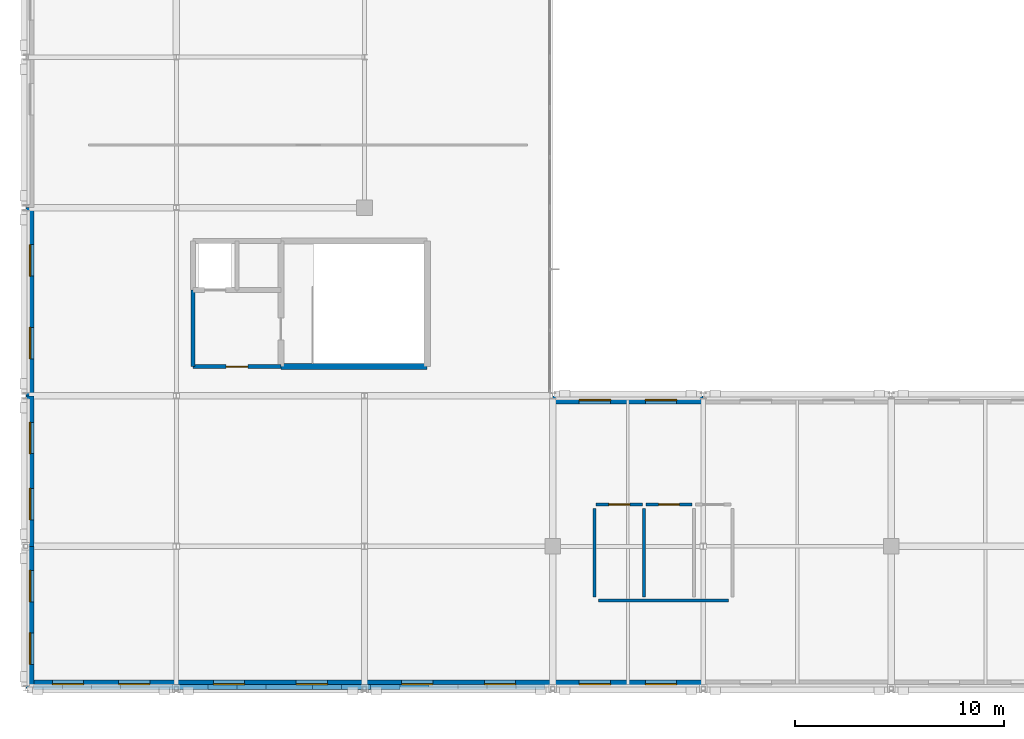
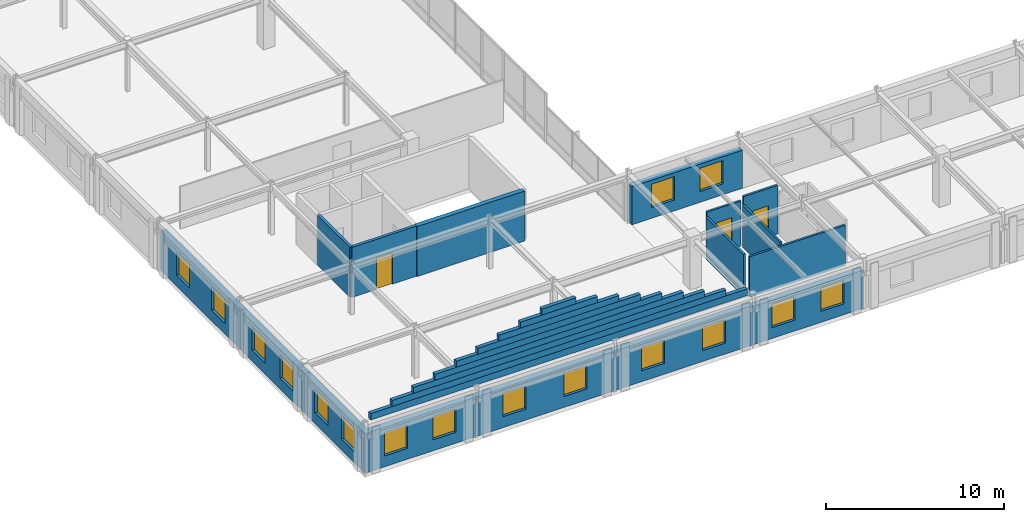
# One storey, part 46 of 74: 25 walls, 16 windows, 3 doors, 19 openings.
"""IFC4 building model written with IfcOpenShell, lengths in metres."""

from ifc_helpers import new_model, si_unit, direction, frame, frame_2d, origin, place, context, subcontext, project, spatial, rectangle, extrude, material, layer, layer_set, type_object, element, fill, save


model = new_model("IFC4")

# Units and contexts
model_context = context("Model", 3, precision=1e-05, world=origin(), true_north=direction((0.0, 1.0)))
body_context = subcontext(model_context, "Body", "Model", "MODEL_VIEW")
ifc_project = project(units=[si_unit("LENGTHUNIT", "METRE"), si_unit("AREAUNIT", "SQUARE_METRE"), si_unit("VOLUMEUNIT", "CUBIC_METRE"), si_unit("PLANEANGLEUNIT", "RADIAN"), si_unit("MASSUNIT", "GRAM", prefix="KILO")], contexts=[model_context])

# Site, building, storey
site_placement = place(None, origin())
site = spatial("IfcSite", under=ifc_project, at=site_placement, CompositionType="ELEMENT")
building_placement = place(site_placement, origin())
building = spatial("IfcBuilding", under=site, at=building_placement, Name="Clarverna Civic Hall", CompositionType="ELEMENT")
storey_placement = place(building_placement, frame((0.0, 0.0, 13.199951171875)))
storey = spatial("IfcBuildingStorey", under=building, at=storey_placement, Name="L03", CompositionType="ELEMENT", Elevation=13.199951171875)

# Wall, openings, windows
ifc_material_1 = material(Name="Montjuic Limestone Ashlar Cladding", Category="masonry")
ifc_layer_1 = layer(ifc_material_1, 0.39990234375)
ifc_layer_set_1 = layer_set([ifc_layer_1], Name="Montjuic Limestone Ashlar Cladding")
wall_type_1 = type_object("IfcWallType", Name="EW-02", PredefinedType="SOLIDWALL", material=ifc_layer_set_1)
wall_1_placement = place(storey_placement, frame((32.39990234375, 0.199951171875, 0.0), z_axis=(0.0, 0.0, 1.0), x_axis=(-1.0, 0.0, 0.0)))
wall_1 = element("IfcWall", 1, at=wall_1_placement, inside=storey, type_object=wall_type_1, Name="EW-02-196", PredefinedType="SOLIDWALL", context=body_context, shape_type="SweptSolid", body=[
    extrude(rectangle(XDim=7.199951171875, YDim=0.39990234375, at=frame_2d((3.60009765625, 0.0))), origin(), (0.0, 0.0, 1.0), 2.6201171875),
])
opening_1_placement = place(wall_1_placement, frame((1.26611328125, 0.0, 0.75)))
opening_1 = element("IfcOpeningElement", 2, at=opening_1_placement, cuts=wall_1, Name="Opening WN-14", PredefinedType="OPENING", context=body_context, shape_type="SweptSolid", body=[
    extrude(rectangle(XDim=1.5, YDim=1.60009765625, at=frame_2d((0.75, 0.800048828125))), frame((0.0, 0.2099609375, 0.0), z_axis=(0.0, -1.0, 0.0), x_axis=(1.0, 0.0, 0.0)), (0.0, 0.0, 1.0), 0.419921875),
])
opening_2_placement = place(wall_1_placement, frame((4.43408203125, 0.0, 0.75)))
opening_2 = element("IfcOpeningElement", 3, at=opening_2_placement, cuts=wall_1, Name="Opening WN-14", PredefinedType="OPENING", context=body_context, shape_type="SweptSolid", body=[
    extrude(rectangle(XDim=1.5, YDim=1.60009765625, at=frame_2d((0.75, 0.800048828125))), frame((0.0, 0.2099609375, 0.0), z_axis=(0.0, -1.0, 0.0), x_axis=(1.0, 0.0, 0.0)), (0.0, 0.0, 1.0), 0.419921875),
])
ifc_material_2 = material(Name="Solar-Control Argon Low-E Double Glazing", Category="glass")
window_type = type_object("IfcWindowType", Name="WN-14", PartitioningType="DOUBLE_PANEL_HORIZONTAL", PredefinedType="WINDOW", material=ifc_material_2)
window_1_placement = place(opening_1_placement, origin())
window_1 = element("IfcWindow", 4, at=window_1_placement, inside=storey, type_object=window_type, Name="WN-14-189", OverallHeight=1.60009765625, OverallWidth=1.5, PartitioningType="DOUBLE_PANEL_HORIZONTAL", PredefinedType="WINDOW", context=body_context, shape_type="SweptSolid", body=[
    extrude(rectangle(XDim=1.5, YDim=1.60009765625, at=frame_2d((0.75, 0.800048828125))), frame((0.0, 0.030029296875, 0.0), z_axis=(0.0, -1.0, 0.0), x_axis=(1.0, 0.0, 0.0)), (0.0, 0.0, 1.0), 0.06005859375),
])
fill(opening_1, window_1)
window_2_placement = place(opening_2_placement, origin())
window_2 = element("IfcWindow", 5, at=window_2_placement, inside=storey, type_object=window_type, Name="WN-14-190", OverallHeight=1.60009765625, OverallWidth=1.5, PartitioningType="DOUBLE_PANEL_HORIZONTAL", PredefinedType="WINDOW", context=body_context, shape_type="SweptSolid", body=[
    extrude(rectangle(XDim=1.5, YDim=1.60009765625, at=frame_2d((0.75, 0.800048828125))), frame((0.0, 0.030029296875, 0.0), z_axis=(0.0, -1.0, 0.0), x_axis=(1.0, 0.0, 0.0)), (0.0, 0.0, 1.0), 0.06005859375),
])
fill(opening_2, window_2)

wall_2_placement = place(storey_placement, frame((25.199951171875, 0.199951171875, 0.0), z_axis=(0.0, 0.0, 1.0), x_axis=(-1.0, 0.0, 0.0)))
wall_2 = element("IfcWall", 6, at=wall_2_placement, inside=storey, type_object=wall_type_1, Name="EW-02-197", PredefinedType="SOLIDWALL", context=body_context, shape_type="SweptSolid", body=[
    extrude(rectangle(XDim=9.0, YDim=0.39990234375, at=frame_2d((4.5, 0.0))), origin(), (0.0, 0.0, 1.0), 2.719970703125),
])
opening_3_placement = place(wall_2_placement, frame((1.77001953125, 0.0, 0.75)))
opening_3 = element("IfcOpeningElement", 7, at=opening_3_placement, cuts=wall_2, Name="Opening WN-14", PredefinedType="OPENING", context=body_context, shape_type="SweptSolid", body=[
    extrude(rectangle(XDim=1.5, YDim=1.60009765625, at=frame_2d((0.75, 0.800048828125))), frame((0.0, 0.2099609375, 0.0), z_axis=(0.0, -1.0, 0.0), x_axis=(1.0, 0.0, 0.0)), (0.0, 0.0, 1.0), 0.419921875),
])
opening_4_placement = place(wall_2_placement, frame((5.72998046875, 0.0, 0.75)))
opening_4 = element("IfcOpeningElement", 8, at=opening_4_placement, cuts=wall_2, Name="Opening WN-14", PredefinedType="OPENING", context=body_context, shape_type="SweptSolid", body=[
    extrude(rectangle(XDim=1.5, YDim=1.60009765625, at=frame_2d((0.75, 0.800048828125))), frame((0.0, 0.2099609375, 0.0), z_axis=(0.0, -1.0, 0.0), x_axis=(1.0, 0.0, 0.0)), (0.0, 0.0, 1.0), 0.419921875),
])
window_3_placement = place(opening_3_placement, origin())
window_3 = element("IfcWindow", 9, at=window_3_placement, inside=storey, type_object=window_type, Name="WN-14-191", OverallHeight=1.60009765625, OverallWidth=1.5, PartitioningType="DOUBLE_PANEL_HORIZONTAL", PredefinedType="WINDOW", context=body_context, shape_type="SweptSolid", body=[
    extrude(rectangle(XDim=1.5, YDim=1.60009765625, at=frame_2d((0.75, 0.800048828125))), frame((0.0, 0.030029296875, 0.0), z_axis=(0.0, -1.0, 0.0), x_axis=(1.0, 0.0, 0.0)), (0.0, 0.0, 1.0), 0.06005859375),
])
fill(opening_3, window_3)
window_4_placement = place(opening_4_placement, origin())
window_4 = element("IfcWindow", 10, at=window_4_placement, inside=storey, type_object=window_type, Name="WN-14-192", OverallHeight=1.60009765625, OverallWidth=1.5, PartitioningType="DOUBLE_PANEL_HORIZONTAL", PredefinedType="WINDOW", context=body_context, shape_type="SweptSolid", body=[
    extrude(rectangle(XDim=1.5, YDim=1.60009765625, at=frame_2d((0.75, 0.800048828125))), frame((0.0, 0.030029296875, 0.0), z_axis=(0.0, -1.0, 0.0), x_axis=(1.0, 0.0, 0.0)), (0.0, 0.0, 1.0), 0.06005859375),
])
fill(opening_4, window_4)

wall_3_placement = place(storey_placement, frame((16.199951171875, 0.199951171875, 0.0), z_axis=(0.0, 0.0, 1.0), x_axis=(-1.0, 0.0, 0.0)))
wall_3 = element("IfcWall", 11, at=wall_3_placement, inside=storey, type_object=wall_type_1, Name="EW-02-198", PredefinedType="SOLIDWALL", context=body_context, shape_type="SweptSolid", body=[
    extrude(rectangle(XDim=9.0, YDim=0.39990234375, at=frame_2d((4.5, 0.0))), origin(), (0.0, 0.0, 1.0), 2.719970703125),
])
opening_5_placement = place(wall_3_placement, frame((1.77001953125, 0.0, 0.75)))
opening_5 = element("IfcOpeningElement", 12, at=opening_5_placement, cuts=wall_3, Name="Opening WN-14", PredefinedType="OPENING", context=body_context, shape_type="SweptSolid", body=[
    extrude(rectangle(XDim=1.5, YDim=1.60009765625, at=frame_2d((0.75, 0.800048828125))), frame((0.0, 0.2099609375, 0.0), z_axis=(0.0, -1.0, 0.0), x_axis=(1.0, 0.0, 0.0)), (0.0, 0.0, 1.0), 0.419921875),
])
opening_6_placement = place(wall_3_placement, frame((5.72998046875, 0.0, 0.75)))
opening_6 = element("IfcOpeningElement", 13, at=opening_6_placement, cuts=wall_3, Name="Opening WN-14", PredefinedType="OPENING", context=body_context, shape_type="SweptSolid", body=[
    extrude(rectangle(XDim=1.5, YDim=1.60009765625, at=frame_2d((0.75, 0.800048828125))), frame((0.0, 0.2099609375, 0.0), z_axis=(0.0, -1.0, 0.0), x_axis=(1.0, 0.0, 0.0)), (0.0, 0.0, 1.0), 0.419921875),
])
window_5_placement = place(opening_5_placement, origin())
window_5 = element("IfcWindow", 14, at=window_5_placement, inside=storey, type_object=window_type, Name="WN-14-193", OverallHeight=1.60009765625, OverallWidth=1.5, PartitioningType="DOUBLE_PANEL_HORIZONTAL", PredefinedType="WINDOW", context=body_context, shape_type="SweptSolid", body=[
    extrude(rectangle(XDim=1.5, YDim=1.60009765625, at=frame_2d((0.75, 0.800048828125))), frame((0.0, 0.030029296875, 0.0), z_axis=(0.0, -1.0, 0.0), x_axis=(1.0, 0.0, 0.0)), (0.0, 0.0, 1.0), 0.06005859375),
])
fill(opening_5, window_5)
window_6_placement = place(opening_6_placement, origin())
window_6 = element("IfcWindow", 15, at=window_6_placement, inside=storey, type_object=window_type, Name="WN-14-194", OverallHeight=1.60009765625, OverallWidth=1.5, PartitioningType="DOUBLE_PANEL_HORIZONTAL", PredefinedType="WINDOW", context=body_context, shape_type="SweptSolid", body=[
    extrude(rectangle(XDim=1.5, YDim=1.60009765625, at=frame_2d((0.75, 0.800048828125))), frame((0.0, 0.030029296875, 0.0), z_axis=(0.0, -1.0, 0.0), x_axis=(1.0, 0.0, 0.0)), (0.0, 0.0, 1.0), 0.06005859375),
])
fill(opening_6, window_6)

wall_4_placement = place(storey_placement, frame((7.199951171875, 0.199951171875, 0.0), z_axis=(0.0, 0.0, 1.0), x_axis=(-1.0, 0.0, 0.0)))
wall_4 = element("IfcWall", 16, at=wall_4_placement, inside=storey, type_object=wall_type_1, Name="EW-02-199", PredefinedType="SOLIDWALL", context=body_context, shape_type="SweptSolid", body=[
    extrude(rectangle(XDim=7.199951171875, YDim=0.39990234375, at=frame_2d((3.60009765625, 0.0))), origin(), (0.0, 0.0, 1.0), 2.719970703125),
])
opening_7_placement = place(wall_4_placement, frame((1.26611328125, 0.0, 0.75)))
opening_7 = element("IfcOpeningElement", 17, at=opening_7_placement, cuts=wall_4, Name="Opening WN-14", PredefinedType="OPENING", context=body_context, shape_type="SweptSolid", body=[
    extrude(rectangle(XDim=1.5, YDim=1.60009765625, at=frame_2d((0.75, 0.800048828125))), frame((0.0, 0.2099609375, 0.0), z_axis=(0.0, -1.0, 0.0), x_axis=(1.0, 0.0, 0.0)), (0.0, 0.0, 1.0), 0.419921875),
])
opening_8_placement = place(wall_4_placement, frame((4.43408203125, 0.0, 0.75)))
opening_8 = element("IfcOpeningElement", 18, at=opening_8_placement, cuts=wall_4, Name="Opening WN-14", PredefinedType="OPENING", context=body_context, shape_type="SweptSolid", body=[
    extrude(rectangle(XDim=1.5, YDim=1.60009765625, at=frame_2d((0.75, 0.800048828125))), frame((0.0, 0.2099609375, 0.0), z_axis=(0.0, -1.0, 0.0), x_axis=(1.0, 0.0, 0.0)), (0.0, 0.0, 1.0), 0.419921875),
])
window_7_placement = place(opening_7_placement, origin())
window_7 = element("IfcWindow", 19, at=window_7_placement, inside=storey, type_object=window_type, Name="WN-14-195", OverallHeight=1.60009765625, OverallWidth=1.5, PartitioningType="DOUBLE_PANEL_HORIZONTAL", PredefinedType="WINDOW", context=body_context, shape_type="SweptSolid", body=[
    extrude(rectangle(XDim=1.5, YDim=1.60009765625, at=frame_2d((0.75, 0.800048828125))), frame((0.0, 0.030029296875, 0.0), z_axis=(0.0, -1.0, 0.0), x_axis=(1.0, 0.0, 0.0)), (0.0, 0.0, 1.0), 0.06005859375),
])
fill(opening_7, window_7)
window_8_placement = place(opening_8_placement, origin())
window_8 = element("IfcWindow", 20, at=window_8_placement, inside=storey, type_object=window_type, Name="WN-14-196", OverallHeight=1.60009765625, OverallWidth=1.5, PartitioningType="DOUBLE_PANEL_HORIZONTAL", PredefinedType="WINDOW", context=body_context, shape_type="SweptSolid", body=[
    extrude(rectangle(XDim=1.5, YDim=1.60009765625, at=frame_2d((0.75, 0.800048828125))), frame((0.0, 0.030029296875, 0.0), z_axis=(0.0, -1.0, 0.0), x_axis=(1.0, 0.0, 0.0)), (0.0, 0.0, 1.0), 0.06005859375),
])
fill(opening_8, window_8)

wall_5_placement = place(storey_placement, frame((0.199951171875, 0.0, 0.0), z_axis=(0.0, 0.0, 1.0), x_axis=(0.0, 1.0, 0.0)))
wall_5 = element("IfcWall", 21, at=wall_5_placement, inside=storey, type_object=wall_type_1, Name="EW-02-200", PredefinedType="SOLIDWALL", context=body_context, shape_type="SweptSolid", body=[
    extrude(rectangle(XDim=6.800048828125, YDim=0.39990234375, at=frame_2d((3.39990234375, 0.0))), origin(), (0.0, 0.0, 1.0), 2.719970703125),
])
opening_9_placement = place(wall_5_placement, frame((1.154052734375, 0.0, 0.75)))
opening_9 = element("IfcOpeningElement", 22, at=opening_9_placement, cuts=wall_5, Name="Opening WN-14", PredefinedType="OPENING", context=body_context, shape_type="SweptSolid", body=[
    extrude(rectangle(XDim=1.5, YDim=1.60009765625, at=frame_2d((0.75, 0.800048828125))), frame((0.0, 0.2099609375, 0.0), z_axis=(0.0, -1.0, 0.0), x_axis=(1.0, 0.0, 0.0)), (0.0, 0.0, 1.0), 0.419921875),
])
opening_10_placement = place(wall_5_placement, frame((4.14599609375, 0.0, 0.75)))
opening_10 = element("IfcOpeningElement", 23, at=opening_10_placement, cuts=wall_5, Name="Opening WN-14", PredefinedType="OPENING", context=body_context, shape_type="SweptSolid", body=[
    extrude(rectangle(XDim=1.5, YDim=1.60009765625, at=frame_2d((0.75, 0.800048828125))), frame((0.0, 0.2099609375, 0.0), z_axis=(0.0, -1.0, 0.0), x_axis=(1.0, 0.0, 0.0)), (0.0, 0.0, 1.0), 0.419921875),
])
window_9_placement = place(opening_9_placement, origin())
window_9 = element("IfcWindow", 24, at=window_9_placement, inside=storey, type_object=window_type, Name="WN-14-197", OverallHeight=1.60009765625, OverallWidth=1.5, PartitioningType="DOUBLE_PANEL_HORIZONTAL", PredefinedType="WINDOW", context=body_context, shape_type="SweptSolid", body=[
    extrude(rectangle(XDim=1.5, YDim=1.60009765625, at=frame_2d((0.75, 0.800048828125))), frame((0.0, 0.030029296875, 0.0), z_axis=(0.0, -1.0, 0.0), x_axis=(1.0, 0.0, 0.0)), (0.0, 0.0, 1.0), 0.06005859375),
])
fill(opening_9, window_9)
window_10_placement = place(opening_10_placement, origin())
window_10 = element("IfcWindow", 25, at=window_10_placement, inside=storey, type_object=window_type, Name="WN-14-198", OverallHeight=1.60009765625, OverallWidth=1.5, PartitioningType="DOUBLE_PANEL_HORIZONTAL", PredefinedType="WINDOW", context=body_context, shape_type="SweptSolid", body=[
    extrude(rectangle(XDim=1.5, YDim=1.60009765625, at=frame_2d((0.75, 0.800048828125))), frame((0.0, 0.030029296875, 0.0), z_axis=(0.0, -1.0, 0.0), x_axis=(1.0, 0.0, 0.0)), (0.0, 0.0, 1.0), 0.06005859375),
])
fill(opening_10, window_10)

wall_6_placement = place(storey_placement, frame((0.199951171875, 6.800048828125, 0.0), z_axis=(0.0, 0.0, 1.0), x_axis=(0.0, 1.0, 0.0)))
wall_6 = element("IfcWall", 26, at=wall_6_placement, inside=storey, type_object=wall_type_1, Name="EW-02-201", PredefinedType="SOLIDWALL", context=body_context, shape_type="SweptSolid", body=[
    extrude(rectangle(XDim=7.199951171875, YDim=0.39990234375, at=frame_2d((3.60009765625, 0.0))), origin(), (0.0, 0.0, 1.0), 2.719970703125),
])
opening_11_placement = place(wall_6_placement, frame((1.26611328125, 0.0, 0.75)))
opening_11 = element("IfcOpeningElement", 27, at=opening_11_placement, cuts=wall_6, Name="Opening WN-14", PredefinedType="OPENING", context=body_context, shape_type="SweptSolid", body=[
    extrude(rectangle(XDim=1.5, YDim=1.60009765625, at=frame_2d((0.75, 0.800048828125))), frame((0.0, 0.2099609375, 0.0), z_axis=(0.0, -1.0, 0.0), x_axis=(1.0, 0.0, 0.0)), (0.0, 0.0, 1.0), 0.419921875),
])
opening_12_placement = place(wall_6_placement, frame((4.43408203125, 0.0, 0.75)))
opening_12 = element("IfcOpeningElement", 28, at=opening_12_placement, cuts=wall_6, Name="Opening WN-14", PredefinedType="OPENING", context=body_context, shape_type="SweptSolid", body=[
    extrude(rectangle(XDim=1.5, YDim=1.60009765625, at=frame_2d((0.75, 0.800048828125))), frame((0.0, 0.2099609375, 0.0), z_axis=(0.0, -1.0, 0.0), x_axis=(1.0, 0.0, 0.0)), (0.0, 0.0, 1.0), 0.419921875),
])
window_11_placement = place(opening_11_placement, origin())
window_11 = element("IfcWindow", 29, at=window_11_placement, inside=storey, type_object=window_type, Name="WN-14-199", OverallHeight=1.60009765625, OverallWidth=1.5, PartitioningType="DOUBLE_PANEL_HORIZONTAL", PredefinedType="WINDOW", context=body_context, shape_type="SweptSolid", body=[
    extrude(rectangle(XDim=1.5, YDim=1.60009765625, at=frame_2d((0.75, 0.800048828125))), frame((0.0, 0.030029296875, 0.0), z_axis=(0.0, -1.0, 0.0), x_axis=(1.0, 0.0, 0.0)), (0.0, 0.0, 1.0), 0.06005859375),
])
fill(opening_11, window_11)
window_12_placement = place(opening_12_placement, origin())
window_12 = element("IfcWindow", 30, at=window_12_placement, inside=storey, type_object=window_type, Name="WN-14-200", OverallHeight=1.60009765625, OverallWidth=1.5, PartitioningType="DOUBLE_PANEL_HORIZONTAL", PredefinedType="WINDOW", context=body_context, shape_type="SweptSolid", body=[
    extrude(rectangle(XDim=1.5, YDim=1.60009765625, at=frame_2d((0.75, 0.800048828125))), frame((0.0, 0.030029296875, 0.0), z_axis=(0.0, -1.0, 0.0), x_axis=(1.0, 0.0, 0.0)), (0.0, 0.0, 1.0), 0.06005859375),
])
fill(opening_12, window_12)

wall_7_placement = place(storey_placement, frame((0.199951171875, 14.0, 0.0), z_axis=(0.0, 0.0, 1.0), x_axis=(0.0, 1.0, 0.0)))
wall_7 = element("IfcWall", 31, at=wall_7_placement, inside=storey, type_object=wall_type_1, Name="EW-02-202", PredefinedType="SOLIDWALL", context=body_context, shape_type="SweptSolid", body=[
    extrude(rectangle(XDim=9.0, YDim=0.39990234375, at=frame_2d((4.5, 0.0))), origin(), (0.0, 0.0, 1.0), 2.719970703125),
])
opening_13_placement = place(wall_7_placement, frame((1.77001953125, 0.0, 0.75)))
opening_13 = element("IfcOpeningElement", 32, at=opening_13_placement, cuts=wall_7, Name="Opening WN-14", PredefinedType="OPENING", context=body_context, shape_type="SweptSolid", body=[
    extrude(rectangle(XDim=1.5, YDim=1.60009765625, at=frame_2d((0.75, 0.800048828125))), frame((0.0, 0.2099609375, 0.0), z_axis=(0.0, -1.0, 0.0), x_axis=(1.0, 0.0, 0.0)), (0.0, 0.0, 1.0), 0.419921875),
])
opening_14_placement = place(wall_7_placement, frame((5.72998046875, 0.0, 0.75)))
opening_14 = element("IfcOpeningElement", 33, at=opening_14_placement, cuts=wall_7, Name="Opening WN-14", PredefinedType="OPENING", context=body_context, shape_type="SweptSolid", body=[
    extrude(rectangle(XDim=1.5, YDim=1.60009765625, at=frame_2d((0.75, 0.800048828125))), frame((0.0, 0.2099609375, 0.0), z_axis=(0.0, -1.0, 0.0), x_axis=(1.0, 0.0, 0.0)), (0.0, 0.0, 1.0), 0.419921875),
])
window_13_placement = place(opening_13_placement, origin())
window_13 = element("IfcWindow", 34, at=window_13_placement, inside=storey, type_object=window_type, Name="WN-14-201", OverallHeight=1.60009765625, OverallWidth=1.5, PartitioningType="DOUBLE_PANEL_HORIZONTAL", PredefinedType="WINDOW", context=body_context, shape_type="SweptSolid", body=[
    extrude(rectangle(XDim=1.5, YDim=1.60009765625, at=frame_2d((0.75, 0.800048828125))), frame((0.0, 0.030029296875, 0.0), z_axis=(0.0, -1.0, 0.0), x_axis=(1.0, 0.0, 0.0)), (0.0, 0.0, 1.0), 0.06005859375),
])
fill(opening_13, window_13)
window_14_placement = place(opening_14_placement, origin())
window_14 = element("IfcWindow", 35, at=window_14_placement, inside=storey, type_object=window_type, Name="WN-14-202", OverallHeight=1.60009765625, OverallWidth=1.5, PartitioningType="DOUBLE_PANEL_HORIZONTAL", PredefinedType="WINDOW", context=body_context, shape_type="SweptSolid", body=[
    extrude(rectangle(XDim=1.5, YDim=1.60009765625, at=frame_2d((0.75, 0.800048828125))), frame((0.0, 0.030029296875, 0.0), z_axis=(0.0, -1.0, 0.0), x_axis=(1.0, 0.0, 0.0)), (0.0, 0.0, 1.0), 0.06005859375),
])
fill(opening_14, window_14)

wall_8_placement = place(storey_placement, frame((25.199951171875, 13.800048828125, 0.0), z_axis=(0.0, 0.0, 1.0), x_axis=(1.0, 0.0, 0.0)))
wall_8 = element("IfcWall", 36, at=wall_8_placement, inside=storey, type_object=wall_type_1, Name="EW-02-210", PredefinedType="SOLIDWALL", context=body_context, shape_type="SweptSolid", body=[
    extrude(rectangle(XDim=7.199951171875, YDim=0.39990234375, at=frame_2d((3.60009765625, 0.0))), origin(), (0.0, 0.0, 1.0), 2.6201171875),
])
opening_15_placement = place(wall_8_placement, frame((1.26611328125, 0.0, 0.75)))
opening_15 = element("IfcOpeningElement", 37, at=opening_15_placement, cuts=wall_8, Name="Opening WN-14", PredefinedType="OPENING", context=body_context, shape_type="SweptSolid", body=[
    extrude(rectangle(XDim=1.5, YDim=1.60009765625, at=frame_2d((0.75, 0.800048828125))), frame((0.0, 0.2099609375, 0.0), z_axis=(0.0, -1.0, 0.0), x_axis=(1.0, 0.0, 0.0)), (0.0, 0.0, 1.0), 0.419921875),
])
opening_16_placement = place(wall_8_placement, frame((4.43408203125, 0.0, 0.75)))
opening_16 = element("IfcOpeningElement", 38, at=opening_16_placement, cuts=wall_8, Name="Opening WN-14", PredefinedType="OPENING", context=body_context, shape_type="SweptSolid", body=[
    extrude(rectangle(XDim=1.5, YDim=1.60009765625, at=frame_2d((0.75, 0.800048828125))), frame((0.0, 0.2099609375, 0.0), z_axis=(0.0, -1.0, 0.0), x_axis=(1.0, 0.0, 0.0)), (0.0, 0.0, 1.0), 0.419921875),
])
window_15_placement = place(opening_15_placement, origin())
window_15 = element("IfcWindow", 39, at=window_15_placement, inside=storey, type_object=window_type, Name="WN-14-216", OverallHeight=1.60009765625, OverallWidth=1.5, PartitioningType="DOUBLE_PANEL_HORIZONTAL", PredefinedType="WINDOW", context=body_context, shape_type="SweptSolid", body=[
    extrude(rectangle(XDim=1.5, YDim=1.60009765625, at=frame_2d((0.75, 0.800048828125))), frame((0.0, 0.030029296875, 0.0), z_axis=(0.0, -1.0, 0.0), x_axis=(1.0, 0.0, 0.0)), (0.0, 0.0, 1.0), 0.06005859375),
])
fill(opening_15, window_15)
window_16_placement = place(opening_16_placement, origin())
window_16 = element("IfcWindow", 40, at=window_16_placement, inside=storey, type_object=window_type, Name="WN-14-217", OverallHeight=1.60009765625, OverallWidth=1.5, PartitioningType="DOUBLE_PANEL_HORIZONTAL", PredefinedType="WINDOW", context=body_context, shape_type="SweptSolid", body=[
    extrude(rectangle(XDim=1.5, YDim=1.60009765625, at=frame_2d((0.75, 0.800048828125))), frame((0.0, 0.030029296875, 0.0), z_axis=(0.0, -1.0, 0.0), x_axis=(1.0, 0.0, 0.0)), (0.0, 0.0, 1.0), 0.06005859375),
])
fill(opening_16, window_16)

# Walls
ifc_material_3 = material(Name="Precast concrete C40/50", Category="concrete")
ifc_layer_2 = layer(ifc_material_3, 0.239990234375)
ifc_layer_set_2 = layer_set([ifc_layer_2], Name="Precast concrete C40/50")
wall_type_2 = type_object("IfcWallType", Name="PR-01", PredefinedType="PARAPET", material=ifc_layer_set_2)
wall_9_placement = place(storey_placement, frame((0.358154296875, 0.080078125, 3.56005859375), z_axis=(0.0, 0.0, 1.0), x_axis=(1.0, 0.0, 0.0)))
element("IfcWall", 41, at=wall_9_placement, inside=storey, type_object=wall_type_2, Name="PR-01-135", PredefinedType="PARAPET", context=body_context, shape_type="SweptSolid", body=[
    extrude(rectangle(XDim=24.483642578125, YDim=0.239990234375, at=frame_2d((12.24169921875, 0.0))), origin(), (0.0, 0.0, 1.0), 0.450439453125),
])
wall_10_placement = place(storey_placement, frame((1.749267578125, 0.080078125, 4.010498046875), z_axis=(0.0, 0.0, 1.0), x_axis=(1.0, 0.0, 0.0)))
element("IfcWall", 42, at=wall_10_placement, inside=storey, type_object=wall_type_2, Name="PR-01-136", PredefinedType="PARAPET", context=body_context, shape_type="SweptSolid", body=[
    extrude(rectangle(XDim=21.701416015625, YDim=0.239990234375, at=frame_2d((10.8505859375, 0.0))), origin(), (0.0, 0.0, 1.0), 0.41064453125),
])
wall_11_placement = place(storey_placement, frame((3.140380859375, 0.080078125, 4.421142578125), z_axis=(0.0, 0.0, 1.0), x_axis=(1.0, 0.0, 0.0)))
element("IfcWall", 43, at=wall_11_placement, inside=storey, type_object=wall_type_2, Name="PR-01-137", PredefinedType="PARAPET", context=body_context, shape_type="SweptSolid", body=[
    extrude(rectangle(XDim=18.919189453125, YDim=0.239990234375, at=frame_2d((9.45947265625, 0.0))), origin(), (0.0, 0.0, 1.0), 0.410400390625),
])
wall_12_placement = place(storey_placement, frame((4.531494140625, 0.080078125, 4.83154296875), z_axis=(0.0, 0.0, 1.0), x_axis=(1.0, 0.0, 0.0)))
element("IfcWall", 44, at=wall_12_placement, inside=storey, type_object=wall_type_2, Name="PR-01-138", PredefinedType="PARAPET", context=body_context, shape_type="SweptSolid", body=[
    extrude(rectangle(XDim=16.136962890625, YDim=0.239990234375, at=frame_2d((8.068359375, 0.0))), origin(), (0.0, 0.0, 1.0), 0.41064453125),
])
wall_13_placement = place(storey_placement, frame((5.922607421875, 0.080078125, 5.2421875), z_axis=(0.0, 0.0, 1.0), x_axis=(1.0, 0.0, 0.0)))
element("IfcWall", 45, at=wall_13_placement, inside=storey, type_object=wall_type_2, Name="PR-01-139", PredefinedType="PARAPET", context=body_context, shape_type="SweptSolid", body=[
    extrude(rectangle(XDim=13.354736328125, YDim=0.239990234375, at=frame_2d((6.67724609375, 0.0))), origin(), (0.0, 0.0, 1.0), 0.410400390625),
])
wall_14_placement = place(storey_placement, frame((7.313720703125, 0.080078125, 5.652587890625), z_axis=(0.0, 0.0, 1.0), x_axis=(1.0, 0.0, 0.0)))
element("IfcWall", 46, at=wall_14_placement, inside=storey, type_object=wall_type_2, Name="PR-01-140", PredefinedType="PARAPET", context=body_context, shape_type="SweptSolid", body=[
    extrude(rectangle(XDim=10.572509765625, YDim=0.239990234375, at=frame_2d((5.2861328125, 0.0))), origin(), (0.0, 0.0, 1.0), 0.41064453125),
])
wall_15_placement = place(storey_placement, frame((8.704833984375, 0.080078125, 6.063232421875), z_axis=(0.0, 0.0, 1.0), x_axis=(1.0, 0.0, 0.0)))
element("IfcWall", 47, at=wall_15_placement, inside=storey, type_object=wall_type_2, Name="PR-01-141", PredefinedType="PARAPET", context=body_context, shape_type="SweptSolid", body=[
    extrude(rectangle(XDim=7.790283203125, YDim=0.239990234375, at=frame_2d((3.89501953125, 0.0))), origin(), (0.0, 0.0, 1.0), 0.410400390625),
])
wall_16_placement = place(storey_placement, frame((10.095947265625, 0.080078125, 6.4736328125), z_axis=(0.0, 0.0, 1.0), x_axis=(1.0, 0.0, 0.0)))
element("IfcWall", 48, at=wall_16_placement, inside=storey, type_object=wall_type_2, Name="PR-01-142", PredefinedType="PARAPET", context=body_context, shape_type="SweptSolid", body=[
    extrude(rectangle(XDim=5.008056640625, YDim=0.239990234375, at=frame_2d((2.50390625, 0.0))), origin(), (0.0, 0.0, 1.0), 0.41064453125),
])
wall_17_placement = place(storey_placement, frame((11.487060546875, 0.080078125, 6.88427734375), z_axis=(0.0, 0.0, 1.0), x_axis=(1.0, 0.0, 0.0)))
element("IfcWall", 49, at=wall_17_placement, inside=storey, type_object=wall_type_2, Name="PR-01-143", PredefinedType="PARAPET", context=body_context, shape_type="SweptSolid", body=[
    extrude(rectangle(XDim=2.225830078125, YDim=0.239990234375, at=frame_2d((1.11279296875, 0.0))), origin(), (0.0, 0.0, 1.0), 0.410400390625),
])
ifc_material_4 = material(Name="Ceramic Brick and Plaster Wet-Room Partition", Category="masonry")
ifc_layer_3 = layer(ifc_material_4, 0.139892578125)
ifc_layer_set_3 = layer_set([ifc_layer_3], Name="Ceramic Brick and Plaster Wet-Room Partition")
wall_type_3 = type_object("IfcWallType", Name="PW-02", PredefinedType="PARTITIONING", material=ifc_layer_set_3)
wall_18_placement = place(storey_placement, frame((27.3798828125, 4.199951171875, 0.0), z_axis=(0.0, 0.0, 1.0), x_axis=(1.0, 0.0, 0.0)))
element("IfcWall", 50, at=wall_18_placement, inside=storey, type_object=wall_type_3, Name="PW-02-193", PredefinedType="PARTITIONING", context=body_context, shape_type="SweptSolid", body=[
    extrude(rectangle(XDim=6.240234375, YDim=0.139892578125, at=frame_2d((3.1201171875, 0.0))), origin(), (0.0, 0.0, 1.0), 2.7900390625),
])
for number, where, z_axis, x_axis, name in (
    (51, (27.199951171875, 4.3798828125, 0.0), (0.0, 0.0, 1.0), (0.0, 1.0, 0.0), "PW-02-194"),
    (52, (29.575927734375, 4.3798828125, 0.0), (0.0, 0.0, 1.0), (0.0, 1.0, 0.0), "PW-02-196"),
):
    element("IfcWall", number, at=place(storey_placement, frame(where, z_axis=z_axis, x_axis=x_axis)), inside=storey, type_object=wall_type_3, Name=name, PredefinedType="PARTITIONING", context=body_context, shape_type="SweptSolid", body=[
        extrude(rectangle(XDim=4.240234375, YDim=0.139892578125, at=frame_2d((2.1201171875, 0.0))), origin(), (0.0, 0.0, 1.0), 2.89013671875),
    ])

# Wall, opening, door
wall_19_placement = place(storey_placement, frame((27.280029296875, 8.800048828125, 0.0), z_axis=(0.0, 0.0, 1.0), x_axis=(1.0, 0.0, 0.0)))
wall_19 = element("IfcWall", 53, at=wall_19_placement, inside=storey, type_object=wall_type_3, Name="PW-02-198", PredefinedType="PARTITIONING", context=body_context, shape_type="SweptSolid", body=[
    extrude(rectangle(XDim=2.216064453125, YDim=0.139892578125, at=frame_2d((1.10791015625, 0.0))), origin(), (0.0, 0.0, 1.0), 3.10009765625),
])
opening_17_placement = place(wall_19_placement, frame((0.60791015625, 0.0, 0.0)))
opening_17 = element("IfcOpeningElement", 54, at=opening_17_placement, cuts=wall_19, Name="Opening ID-02", PredefinedType="OPENING", context=body_context, shape_type="SweptSolid", body=[
    extrude(rectangle(XDim=1.0, YDim=2.14990234375, at=frame_2d((0.5, 1.074951171875))), frame((0.0, 0.079833984375, 0.0), z_axis=(0.0, -1.0, 0.0), x_axis=(1.0, 0.0, 0.0)), (0.0, 0.0, 1.0), 0.159912109375),
])
ifc_material_5 = material(Name="European Oak Veneered Acoustic Timber Door", Category="wood")
door_type_1 = type_object("IfcDoorType", Name="ID-02", OperationType="NOTDEFINED", PredefinedType="DOOR", material=ifc_material_5)
door_1_placement = place(opening_17_placement, origin())
door_1 = element("IfcDoor", 55, at=door_1_placement, inside=storey, type_object=door_type_1, Name="ID-02-073", OperationType="SINGLE_SWING_LEFT", OverallHeight=2.14990234375, OverallWidth=1.0, PredefinedType="DOOR", context=body_context, shape_type="SweptSolid", body=[
    extrude(rectangle(XDim=1.0, YDim=2.14990234375, at=frame_2d((0.5, 1.074951171875))), frame((0.0, 0.02490234375, 0.0), z_axis=(0.0, -1.0, 0.0), x_axis=(1.0, 0.0, 0.0)), (0.0, 0.0, 1.0), 0.050048828125),
])
fill(opening_17, door_1)

wall_20_placement = place(storey_placement, frame((29.656005859375, 8.800048828125, 0.0), z_axis=(0.0, 0.0, 1.0), x_axis=(1.0, 0.0, 0.0)))
wall_20 = element("IfcWall", 56, at=wall_20_placement, inside=storey, type_object=wall_type_3, Name="PW-02-199", PredefinedType="PARTITIONING", context=body_context, shape_type="SweptSolid", body=[
    extrude(rectangle(XDim=2.216064453125, YDim=0.139892578125, at=frame_2d((1.10791015625, 0.0))), origin(), (0.0, 0.0, 1.0), 3.340087890625),
])
opening_18_placement = place(wall_20_placement, frame((0.60791015625, 0.0, 0.0)))
opening_18 = element("IfcOpeningElement", 57, at=opening_18_placement, cuts=wall_20, Name="Opening ID-02", PredefinedType="OPENING", context=body_context, shape_type="SweptSolid", body=[
    extrude(rectangle(XDim=1.0, YDim=2.14990234375, at=frame_2d((0.5, 1.074951171875))), frame((0.0, 0.079833984375, 0.0), z_axis=(0.0, -1.0, 0.0), x_axis=(1.0, 0.0, 0.0)), (0.0, 0.0, 1.0), 0.159912109375),
])
door_2_placement = place(opening_18_placement, origin())
door_2 = element("IfcDoor", 58, at=door_2_placement, inside=storey, type_object=door_type_1, Name="ID-02-074", OperationType="SINGLE_SWING_RIGHT", OverallHeight=2.14990234375, OverallWidth=1.0, PredefinedType="DOOR", context=body_context, shape_type="SweptSolid", body=[
    extrude(rectangle(XDim=1.0, YDim=2.14990234375, at=frame_2d((0.5, 1.074951171875))), frame((0.0, 0.02490234375, 0.0), z_axis=(0.0, -1.0, 0.0), x_axis=(1.0, 0.0, 0.0)), (0.0, 0.0, 1.0), 0.050048828125),
])
fill(opening_18, door_2)

# Wall
ifc_material_6 = material(Name="Acoustic Gypsum Plasterboard on Twin Frame", Category="gypsum")
ifc_layer_4 = layer(ifc_material_6, 0.18994140625)
ifc_layer_set_4 = layer_set([ifc_layer_4], Name="Acoustic Gypsum Plasterboard on Twin Frame")
wall_type_4 = type_object("IfcWallType", Name="PW-06", PredefinedType="PARTITIONING", material=ifc_layer_set_4)
wall_21_placement = place(storey_placement, frame((8.0, 15.39990234375, 0.0), z_axis=(0.0, 0.0, 1.0), x_axis=(0.0, 1.0, 0.0)))
element("IfcWall", 59, at=wall_21_placement, inside=storey, type_object=wall_type_4, Name="PW-06-087", PredefinedType="PARTITIONING", context=body_context, shape_type="SweptSolid", body=[
    extrude(rectangle(XDim=3.650146484375, YDim=0.18994140625, at=frame_2d((1.8251953125, 0.0))), origin(), (0.0, 0.0, 1.0), 3.43994140625),
])

# Wall, opening, door
wall_22_placement = place(storey_placement, frame((8.0, 15.39990234375, 0.0), z_axis=(0.0, 0.0, 1.0), x_axis=(1.0, 0.0, 0.0)))
wall_22 = element("IfcWall", 60, at=wall_22_placement, inside=storey, type_object=wall_type_4, Name="PW-06-088", PredefinedType="PARTITIONING", context=body_context, shape_type="SweptSolid", body=[
    extrude(rectangle(XDim=4.199951171875, YDim=0.18994140625, at=frame_2d((2.10009765625, 0.0))), origin(), (0.0, 0.0, 1.0), 3.43994140625),
])
opening_19_placement = place(wall_22_placement, frame((1.574951171875, 0.0, 0.0)))
opening_19 = element("IfcOpeningElement", 61, at=opening_19_placement, cuts=wall_22, Name="Opening FD-02", PredefinedType="OPENING", context=body_context, shape_type="SweptSolid", body=[
    extrude(rectangle(XDim=1.050048828125, YDim=2.14990234375, at=frame_2d((0.52490234375, 1.074951171875))), frame((0.0, 0.10498046875, 0.0), z_axis=(0.0, -1.0, 0.0), x_axis=(1.0, 0.0, 0.0)), (0.0, 0.0, 1.0), 0.2099609375),
])
ifc_material_7 = material(Name="Acoustic Timber-Faced Fire Door", Category="wood")
door_type_2 = type_object("IfcDoorType", Name="FD-02", OperationType="NOTDEFINED", PredefinedType="DOOR", material=ifc_material_7)
door_3_placement = place(opening_19_placement, origin())
door_3 = element("IfcDoor", 62, at=door_3_placement, inside=storey, type_object=door_type_2, Name="FD-02-081", OperationType="SINGLE_SWING_RIGHT", OverallHeight=2.14990234375, OverallWidth=1.050048828125, PredefinedType="DOOR", context=body_context, shape_type="SweptSolid", body=[
    extrude(rectangle(XDim=1.050048828125, YDim=2.14990234375, at=frame_2d((0.52490234375, 1.074951171875))), frame((0.0, 0.02490234375, 0.0), z_axis=(0.0, -1.0, 0.0), x_axis=(1.0, 0.0, 0.0)), (0.0, 0.0, 1.0), 0.050048828125),
])
fill(opening_19, door_3)

# Wall
ifc_material_8 = material(Name="Concrete C35/45", Category="concrete")
ifc_layer_5 = layer(ifc_material_8, 0.300048828125)
ifc_layer_set_5 = layer_set([ifc_layer_5], Name="Concrete C35/45")
wall_type_5 = type_object("IfcWallType", Name="SW-03", PredefinedType="SHEAR", material=ifc_layer_set_5)
wall_23_placement = place(storey_placement, frame((12.199951171875, 15.39990234375, 0.0), z_axis=(0.0, 0.0, 1.0), x_axis=(1.0, 0.0, 0.0)))
element("IfcWall", 63, at=wall_23_placement, inside=storey, type_object=wall_type_5, Name="SW-03-138", PredefinedType="SHEAR", context=body_context, shape_type="SweptSolid", body=[
    extrude(rectangle(XDim=7.0, YDim=0.300048828125, at=frame_2d((3.5, 0.0))), origin(), (0.0, 0.0, 1.0), 3.43994140625),
])

save(model, "model.ifc")
